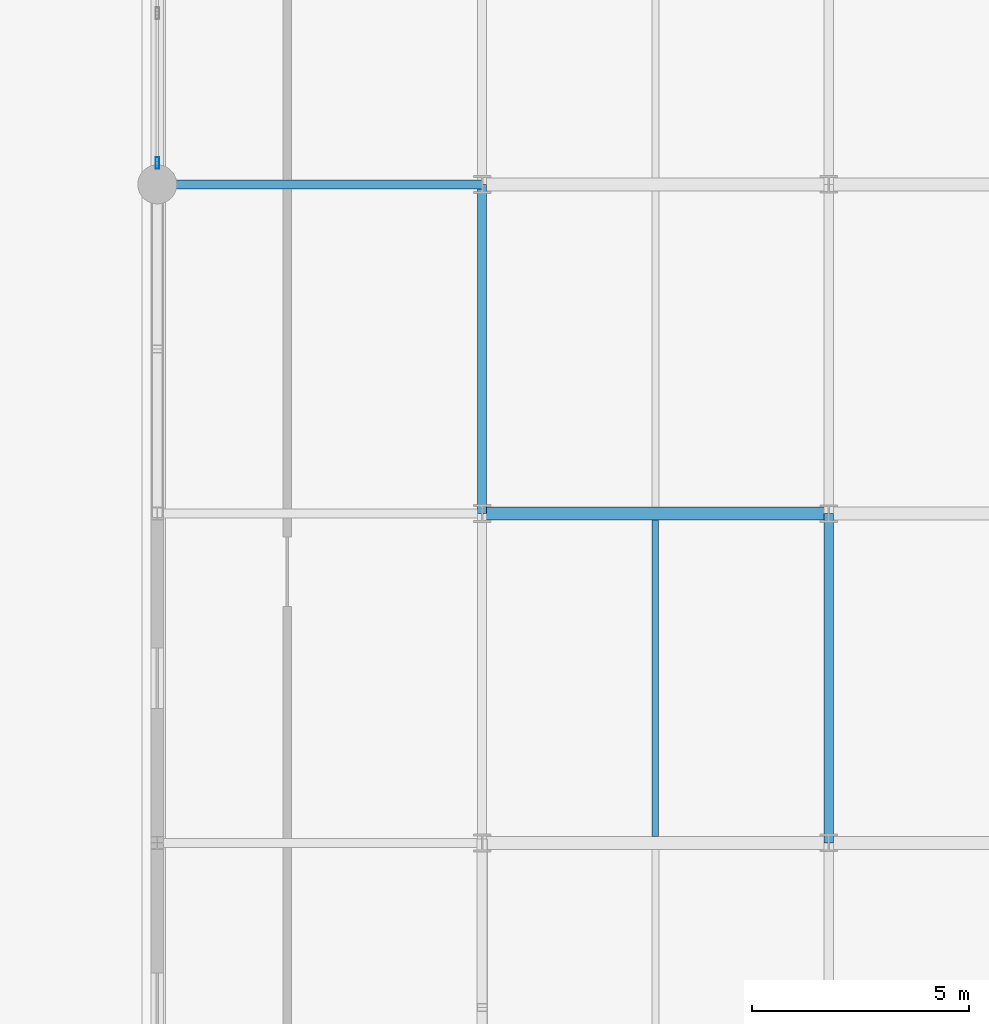
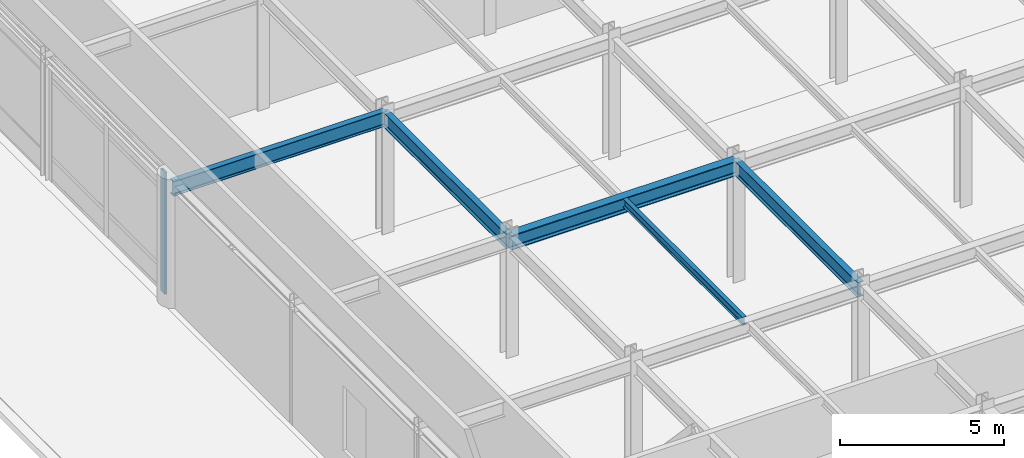
# One storey, part 13 of 43: 5 beams, 1 member, 1 element without a shape of its own.
"""IFC4 building model written with IfcOpenShell, lengths in metres."""

from ifc_helpers import new_model, si_unit, direction, frame, origin, origin_2d, place, context, subcontext, project, spatial, hollow_rectangle, i_section, extrude, material, layer, layer_set, material_profile, profile_set, type_object, element, aggregate, save


model = new_model("IFC4")

# Units and contexts
model_context = context("Model", 3, precision=1e-05, world=origin(), true_north=direction((0.0, 1.0)))
body_context = subcontext(model_context, "Body", "Model", "MODEL_VIEW")
ifc_project = project(units=[si_unit("LENGTHUNIT", "METRE"), si_unit("AREAUNIT", "SQUARE_METRE"), si_unit("VOLUMEUNIT", "CUBIC_METRE"), si_unit("PLANEANGLEUNIT", "RADIAN"), si_unit("MASSUNIT", "GRAM", prefix="KILO")], contexts=[model_context])

# Site, building, storey
site_placement = place(None, origin())
site = spatial("IfcSite", under=ifc_project, at=site_placement, CompositionType="ELEMENT")
building_placement = place(site_placement, origin())
building = spatial("IfcBuilding", under=site, at=building_placement, Name="Shalkamar Park Central Library", CompositionType="ELEMENT")
storey_placement = place(building_placement, frame((0.0, 0.0, 15.60009765625)))
storey = spatial("IfcBuildingStorey", under=building, at=storey_placement, Name="L04", CompositionType="ELEMENT", Elevation=15.60009765625)

# Beam
ifc_material_1 = material(Name="Steel S355", Category="steel")
ifc_material_profile_1 = material_profile(ifc_material_1, i_section(OverallWidth=0.14990234375, OverallDepth=0.300048828125, WebThickness=0.007080078125, FlangeThickness=0.0107421875, FilletRadius=0.014892578125, at=origin_2d()), Name="IPE 300")
ifc_profile_set_1 = profile_set([ifc_material_profile_1], Name="Steel S355")
beam_type_1 = type_object("IfcBeamType", Name="Composite Floor Joist IPE300", PredefinedType="JOIST", material=ifc_profile_set_1)
beam_1_placement = place(storey_placement, frame((169.0, 262.947998046875, 4.329833984375), z_axis=(0.0, 1.0, 0.0), x_axis=(-1.0, 0.0, 0.0)))
element("IfcBeam", 1, at=beam_1_placement, inside=storey, type_object=beam_type_1, Name="Composite Joist 07/D-1 (L04)", PredefinedType="JOIST", context=body_context, shape_type="SweptSolid", body=[
    extrude(i_section(OverallWidth=0.14990234375, OverallDepth=0.300048828125, WebThickness=0.007080078125, FlangeThickness=0.0107421875, FilletRadius=0.014892578125, at=origin_2d()), origin(), (0.0, 0.0, 1.0), 7.303955078125),
])

# Curtain wall, member
ifc_material_2 = material(Name="Thermally broken aluminium and triple low-e curtain wall", Category="aluminium")
ifc_layer = layer(ifc_material_2, 0.27001953125)
ifc_layer_set = layer_set([ifc_layer], Name="UnitisedCurtainWall_63")
curtain_wall_type = type_object("IfcCurtainWallType", Name="Unitised Curtain Wall 63", PredefinedType="USERDEFINED", material=ifc_layer_set)
curtain_wall_placement = place(storey_placement, origin())
curtain_wall = element("IfcCurtainWall", 2, at=curtain_wall_placement, inside=storey, type_object=curtain_wall_type, Name="Unitised Curtain Wall CW-L04-078", ObjectType="UNITISED CURTAIN WALL", PredefinedType="USERDEFINED")
ifc_material_3 = material(Name="Aluminium 6060-T66", Category="aluminium")
ifc_material_profile_2 = material_profile(ifc_material_3, hollow_rectangle(XDim=0.080078125, YDim=0.27001953125, WallThickness=0.0048828125, InnerFilletRadius=0.0048828125, OuterFilletRadius=0.007568359375, at=origin_2d()), Name="ALU 80x270x5")
ifc_profile_set_2 = profile_set([ifc_material_profile_2], Name="Aluminium 6060-T66")
member_type = type_object("IfcMemberType", Name="Curtain Wall Mullion ALU80x270", PredefinedType="MULLION", material=ifc_profile_set_2)
member_placement = place(storey_placement, frame((157.5, 278.493896484375, 0.0), z_axis=(0.0, 0.0, 1.0), x_axis=(-1.0, 0.0, 0.0)))
member = element("IfcMember", 3, at=member_placement, type_object=member_type, Name="CW-63 mullion 1", PredefinedType="MULLION", context=body_context, shape_type="SweptSolid", body=[
    extrude(hollow_rectangle(XDim=0.080078125, YDim=0.27001953125, WallThickness=0.0048828125, InnerFilletRadius=0.0048828125, OuterFilletRadius=0.007568359375, at=origin_2d()), origin(), (0.0, 0.0, 1.0), 4.5498046875),
])
aggregate(curtain_wall, [member])

# Beams
ifc_material_profile_3 = material_profile(ifc_material_1, i_section(OverallWidth=0.300048828125, OverallDepth=0.550048828125, WebThickness=0.014892578125, FlangeThickness=0.029052734375, FilletRadius=0.027099609375, at=origin_2d()), Name="HEB 550")
ifc_profile_set_3 = profile_set([ifc_material_profile_3], Name="Steel S355")
beam_type_2 = type_object("IfcBeamType", Name="Primary Girder HEB550", PredefinedType="BEAM", material=ifc_profile_set_3)
beam_2_placement = place(storey_placement, frame((165.0, 270.39990234375, 4.204833984375), z_axis=(1.0, 0.0, 0.0), x_axis=(0.0, 1.0, 0.0)))
element("IfcBeam", 4, at=beam_2_placement, inside=storey, type_object=beam_type_2, Name="Beam E:07-08 (L04)", PredefinedType="BEAM", context=body_context, shape_type="SweptSolid", body=[
    extrude(i_section(OverallWidth=0.300048828125, OverallDepth=0.550048828125, WebThickness=0.014892578125, FlangeThickness=0.029052734375, FilletRadius=0.027099609375, at=origin_2d()), origin(), (0.0, 0.0, 1.0), 8.0),
])
ifc_material_profile_4 = material_profile(ifc_material_1, i_section(OverallWidth=0.2099609375, OverallDepth=0.550048828125, WebThickness=0.010986328125, FlangeThickness=0.01708984375, FilletRadius=0.02392578125, at=origin_2d()), Name="IPE 550")
ifc_profile_set_4 = profile_set([ifc_material_profile_4], Name="Steel S355")
beam_type_3 = type_object("IfcBeamType", Name="Primary Girder IPE550", PredefinedType="BEAM", material=ifc_profile_set_4)
beam_3_placement = place(storey_placement, frame((157.5, 278.0, 4.204833984375), z_axis=(1.0, 0.0, 0.0), x_axis=(0.0, 1.0, 0.0)))
element("IfcBeam", 5, at=beam_3_placement, inside=storey, type_object=beam_type_3, Name="Beam F:06-07 (L04)", PredefinedType="BEAM", context=body_context, shape_type="SweptSolid", body=[
    extrude(i_section(OverallWidth=0.2099609375, OverallDepth=0.550048828125, WebThickness=0.010986328125, FlangeThickness=0.01708984375, FilletRadius=0.02392578125, at=origin_2d()), origin(), (0.0, 0.0, 1.0), 7.5),
])
beam_4_placement = place(storey_placement, frame((165.0, 270.39990234375, 4.204833984375), z_axis=(0.0, 1.0, 0.0), x_axis=(-1.0, 0.0, 0.0)))
element("IfcBeam", 6, at=beam_4_placement, inside=storey, type_object=beam_type_3, Name="Beam 07:E-F (L04)", PredefinedType="BEAM", context=body_context, shape_type="SweptSolid", body=[
    extrude(i_section(OverallWidth=0.2099609375, OverallDepth=0.550048828125, WebThickness=0.010986328125, FlangeThickness=0.01708984375, FilletRadius=0.02392578125, at=origin_2d()), origin(), (0.0, 0.0, 1.0), 7.60009765625),
])
beam_5_placement = place(storey_placement, frame((173.0, 262.800048828125, 4.204833984375), z_axis=(0.0, 1.0, 0.0), x_axis=(-1.0, 0.0, 0.0)))
element("IfcBeam", 7, at=beam_5_placement, inside=storey, type_object=beam_type_3, Name="Beam 08:D-E (L04)", PredefinedType="BEAM", context=body_context, shape_type="SweptSolid", body=[
    extrude(i_section(OverallWidth=0.2099609375, OverallDepth=0.550048828125, WebThickness=0.010986328125, FlangeThickness=0.01708984375, FilletRadius=0.02392578125, at=origin_2d()), origin(), (0.0, 0.0, 1.0), 7.599853515625),
])

save(model, "model.ifc")
